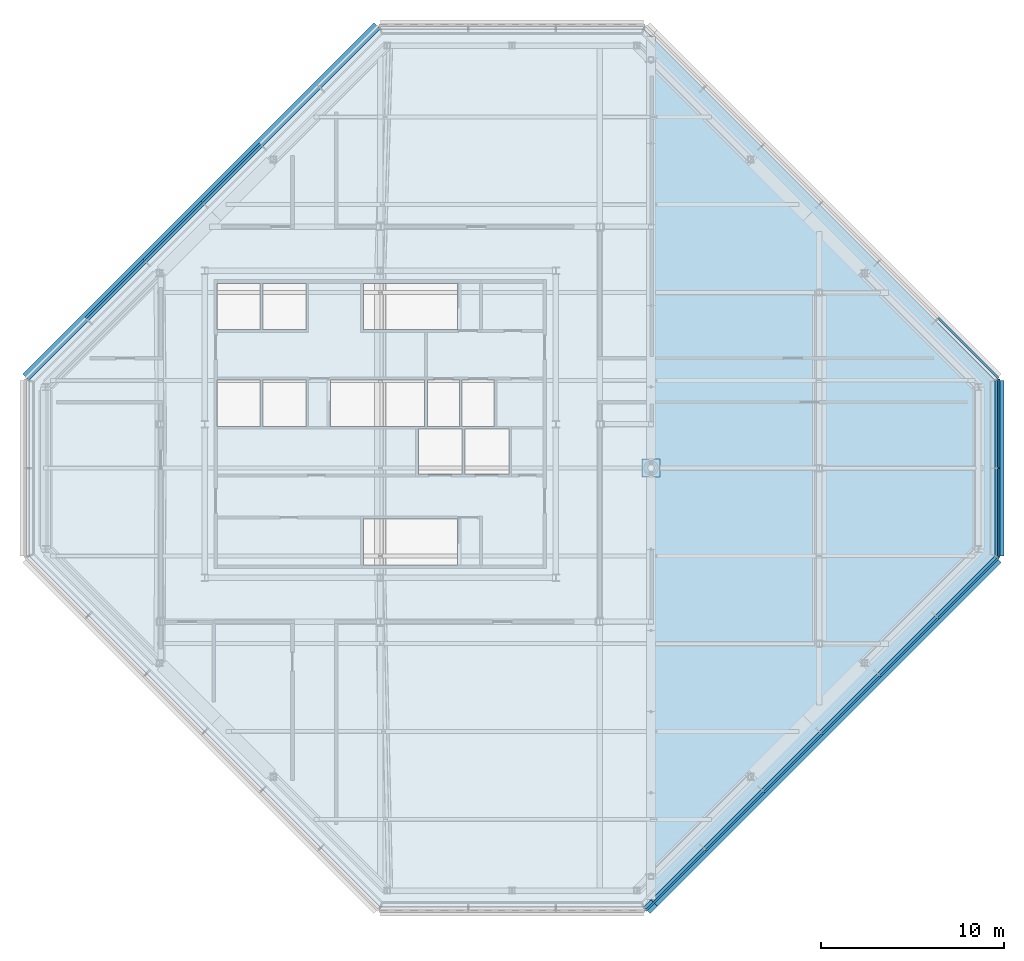
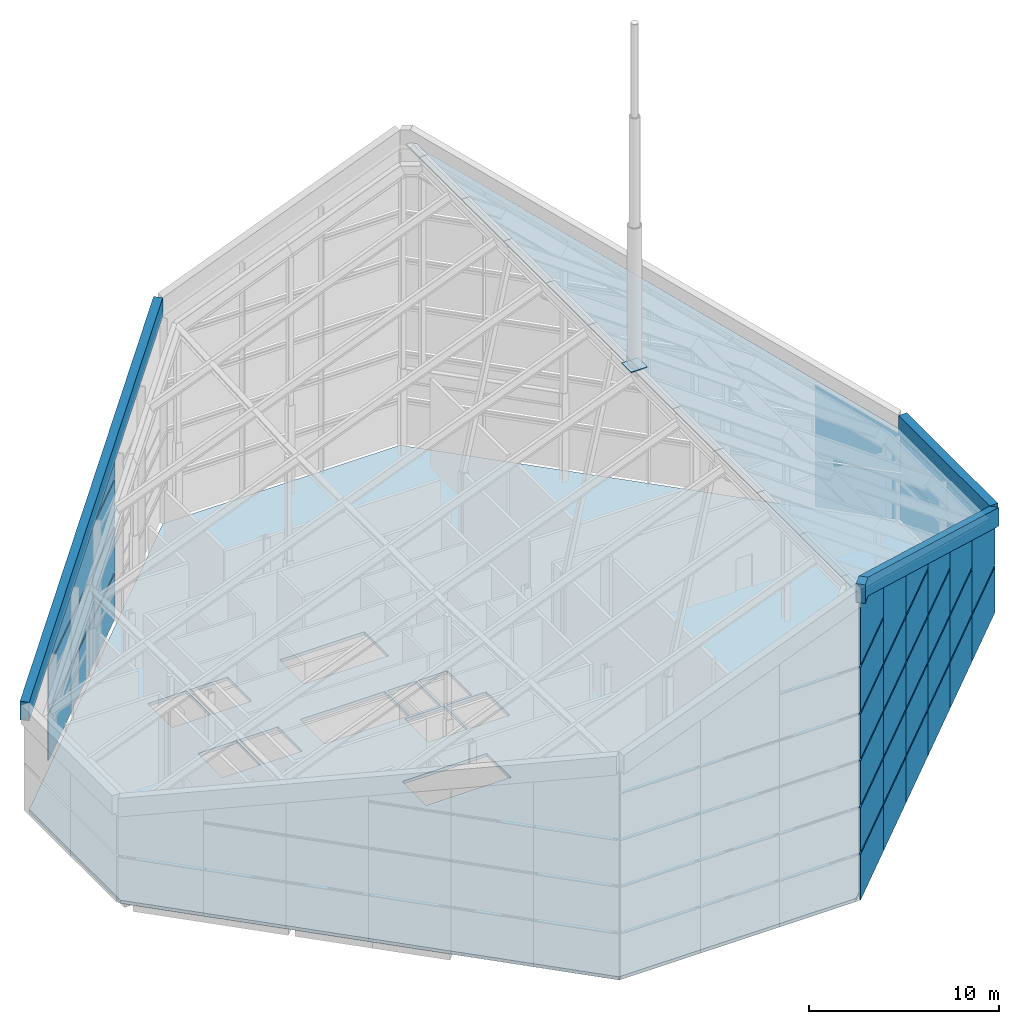
# One storey, part 14 of 21: 45 plates, 2 slabs, 4 elements without a shape of their own.
"""IFC4 building model written with IfcOpenShell, lengths in metres."""

from ifc_helpers import new_model, si_unit, direction, frame, origin, origin_2d, place, context, subcontext, project, spatial, polyline, rectangle, outline, extrude, material, layer, layer_set, type_object, element, aggregate, save


model = new_model("IFC4")

# Units and contexts
model_context = context("Model", 3, precision=1e-05, world=origin(), true_north=direction((0.0, 1.0)))
body_context = subcontext(model_context, "Body", "Model", "MODEL_VIEW")
ifc_project = project(units=[si_unit("LENGTHUNIT", "METRE"), si_unit("AREAUNIT", "SQUARE_METRE"), si_unit("VOLUMEUNIT", "CUBIC_METRE"), si_unit("PLANEANGLEUNIT", "RADIAN"), si_unit("MASSUNIT", "GRAM", prefix="KILO")], contexts=[model_context])

# Site, building, storey
site_placement = place(None, origin())
site = spatial("IfcSite", under=ifc_project, at=site_placement, CompositionType="ELEMENT")
building_placement = place(site_placement, origin())
building = spatial("IfcBuilding", under=site, at=building_placement, Name="Cairn Pilgrim Tower", CompositionType="ELEMENT")
storey_placement = place(building_placement, frame((0.0, 0.0, 295.800048828125)))
storey = spatial("IfcBuildingStorey", under=building, at=storey_placement, Name="L76", CompositionType="ELEMENT", Elevation=295.800048828125)

# Slab
ifc_material_1 = material(Name="Concrete C35/45", Category="concrete")
ifc_layer_1 = layer(ifc_material_1, 0.199951171875)
ifc_layer_set_1 = layer_set([ifc_layer_1], Name="COMPOSITE FLOOR SLAB 200")
slab_type_1 = type_object("IfcSlabType", Name="COMPOSITE FLOOR SLAB 200", PredefinedType="FLOOR", material=ifc_layer_set_1)
slab_1_placement = place(storey_placement, frame((0.0, 0.0, -0.199951171875)))
element("IfcSlab", 1, at=slab_1_placement, inside=storey, type_object=slab_type_1, Name="FLOOR SLAB L76", PredefinedType="FLOOR", context=body_context, shape_type="SweptSolid", body=[
    extrude(outline(polyline([(7.199951171875, -24.0), (21.60009765625, -24.0), (40.800048828125, -4.800048828125), (40.800048828125, 4.800048828125), (21.60009765625, 24.0), (7.199951171875, 24.0), (-12.0, 4.800048828125), (-12.0, -4.800048828125), (7.199951171875, -24.0)]), holes=[polyline([(9.27490234375, -0.324951171875), (11.675048828125, -0.324951171875), (11.675048828125, 2.125), (9.27490234375, 2.125), (9.27490234375, -0.324951171875)]), polyline([(11.824951171875, -0.324951171875), (14.22509765625, -0.324951171875), (14.22509765625, 2.125), (11.824951171875, 2.125), (11.824951171875, -0.324951171875)]), polyline([(-1.72509765625, 2.27490234375), (0.625, 2.27490234375), (0.625, 4.824951171875), (-1.72509765625, 4.824951171875), (-1.72509765625, 2.27490234375)]), polyline([(0.77490234375, 2.27490234375), (3.125, 2.27490234375), (3.125, 4.824951171875), (0.77490234375, 4.824951171875), (0.77490234375, 2.27490234375)]), polyline([(-1.72509765625, 7.574951171875), (0.625, 7.574951171875), (0.625, 10.10009765625), (-1.72509765625, 10.10009765625), (-1.72509765625, 7.574951171875)]), polyline([(0.77490234375, 7.574951171875), (3.125, 7.574951171875), (3.125, 10.10009765625), (0.77490234375, 10.10009765625), (0.77490234375, 7.574951171875)]), polyline([(9.77490234375, 2.27490234375), (11.52490234375, 2.27490234375), (11.52490234375, 4.824951171875), (9.77490234375, 4.824951171875), (9.77490234375, 2.27490234375)]), polyline([(11.675048828125, 2.27490234375), (13.425048828125, 2.27490234375), (13.425048828125, 4.824951171875), (11.675048828125, 4.824951171875), (11.675048828125, 2.27490234375)]), polyline([(11.424560546875, -2.77490234375), (6.27490234375, -2.77490234375), (6.27490234375, -5.300048828125), (11.424560546875, -5.300048828125), (11.424560546875, -2.77490234375)]), polyline([(4.4755859375, 2.27490234375), (9.625, 2.27490234375), (9.625, 4.824951171875), (4.4755859375, 4.824951171875), (4.4755859375, 2.27490234375)]), polyline([(11.424560546875, 10.10009765625), (6.27490234375, 10.10009765625), (6.27490234375, 7.574951171875), (11.424560546875, 7.574951171875), (11.424560546875, 10.10009765625)])]), origin(), (0.0, 0.0, 1.0), 0.199951171875),
])

# Plates
ifc_material_2 = material(Name="Bronze anodised aluminium", Category="aluminium")
ifc_layer_2 = layer(ifc_material_2, 0.5)
ifc_layer_set_2 = layer_set([ifc_layer_2], Name="EAVES FASCIA 500x1200 BRONZE")
plate_type_1 = type_object("IfcPlateType", Name="EAVES FASCIA 500x1200 BRONZE", PredefinedType="SHEET", material=ifc_layer_set_2)
plate_1_placement = place(storey_placement, frame((21.77685546875, -24.1767578125, 5.630615234375), z_axis=(0.0, 0.0, 1.0), x_axis=(0.707106781187, 0.707106781187, 0.0)))
element("IfcPlate", 2, at=plate_1_placement, inside=storey, type_object=plate_type_1, Name="Eaves fascia EF-2", PredefinedType="SHEET", context=body_context, shape_type="SweptSolid", body=[
    extrude(outline(polyline([(0.0, 13.3876953125), (0.565673828125, 13.5), (27.15283203125, 0.0), (27.15283203125, 1.199951171875), (0.565673828125, 14.699951171875), (0.0, 14.587646484375), (0.0, 13.3876953125)])), frame((0.0, 0.25, 0.0), z_axis=(0.0, -1.0, 0.0), x_axis=(1.0, 0.0, 0.0)), (0.0, 0.0, 1.0), 0.5),
])
plate_2_placement = place(storey_placement, frame((41.050048828125, -4.800048828125, 5.630615234375), z_axis=(0.0, 0.0, 1.0), x_axis=(0.0, 1.0, 0.0)))
element("IfcPlate", 3, at=plate_2_placement, inside=storey, type_object=plate_type_1, Name="Eaves fascia EF-3", PredefinedType="SHEET", context=body_context, shape_type="SweptSolid", body=[
    extrude(outline(polyline([(0.0, 0.0), (9.60009765625, 0.0), (9.60009765625, 1.199951171875), (0.0, 1.199951171875), (0.0, 0.0)])), frame((0.0, 0.25, 0.0), z_axis=(0.0, -1.0, 0.0), x_axis=(1.0, 0.0, 0.0)), (0.0, 0.0, 1.0), 0.5),
])
plate_3_placement = place(storey_placement, frame((7.023193359375, 24.1767578125, 5.67724609375), z_axis=(0.0, 0.0, 1.0), x_axis=(-0.707106781187, -0.707106781187, 0.0)))
element("IfcPlate", 4, at=plate_3_placement, inside=storey, type_object=plate_type_1, Name="Eaves fascia EF-6", PredefinedType="SHEET", context=body_context, shape_type="SweptSolid", body=[
    extrude(outline(polyline([(0.0, 7.623291015625), (27.15283203125, 0.0), (27.15283203125, 1.199951171875), (0.0, 8.823486328125), (0.0, 7.623291015625)])), frame((0.0, 0.25, 0.0), z_axis=(0.0, -1.0, 0.0), x_axis=(1.0, 0.0, 0.0)), (0.0, 0.0, 1.0), 0.5),
])

# Curtain wall, plates
ifc_material_3 = material(Name="Aluminium alloy 6063-T6 bronze anodised with Bronze tinted laminated low-E glass 8+16+8.8", Category="aluminium")
curtain_wall_type = type_object("IfcCurtainWallType", Name="CROWN LOUVRE CURTAIN WALL", PredefinedType="NOTDEFINED", material=ifc_material_3)
curtain_wall_1_placement = place(storey_placement, origin())
curtain_wall_1 = element("IfcCurtainWall", 5, at=curtain_wall_1_placement, inside=storey, type_object=curtain_wall_type, Name="Crown Louvre Curtain Wall SE", PredefinedType="NOTDEFINED")
ifc_material_4 = material(Name="Bronze anodised aluminium louvre blades", Category="aluminium")
ifc_layer_3 = layer(ifc_material_4, 0.10009765625)
ifc_layer_set_3 = layer_set([ifc_layer_3], Name="LOUVRE PANEL 4491 RAKING")
plate_type_2 = type_object("IfcPlateType", Name="LOUVRE PANEL 4491 RAKING", PredefinedType="CURTAIN_PANEL", material=ifc_layer_set_3)
plate_4_placement = place(storey_placement, frame((25.00439453125, -20.90673828125, 12.074951171875), z_axis=(0.0, 0.0, 1.0), x_axis=(0.707106781187, 0.707106781187, 0.0)))
plate_4 = element("IfcPlate", 6, at=plate_4_placement, type_object=plate_type_2, Name="Louvre panel SE2-5", PredefinedType="CURTAIN_PANEL", context=body_context, shape_type="SweptSolid", body=[
    extrude(outline(polyline([(0.0, 0.0), (4.490966796875, 0.0), (4.490966796875, 2.592529296875), (3.849365234375, 2.918212890625), (3.207763671875, 3.244140625), (2.56640625, 3.56982421875), (1.9248046875, 3.8955078125), (1.283203125, 4.221435546875), (0.6416015625, 4.547119140625), (0.0, 4.872802734375), (0.0, 0.0)])), frame((0.0, 0.050048828125, 0.0), z_axis=(0.0, -1.0, 0.0), x_axis=(1.0, 0.0, 0.0)), (0.0, 0.0, 1.0), 0.10009765625),
])
plate_5_placement = place(storey_placement, frame((28.179931640625, -17.731201171875, 12.074951171875), z_axis=(0.0, 0.0, 1.0), x_axis=(0.707106781187, 0.707106781187, 0.0)))
plate_5 = element("IfcPlate", 7, at=plate_5_placement, type_object=plate_type_2, Name="Louvre panel SE3-5", PredefinedType="CURTAIN_PANEL", context=body_context, shape_type="SweptSolid", body=[
    extrude(outline(polyline([(0.0, 0.0), (4.490966796875, 0.0), (4.490966796875, 0.312255859375), (3.849365234375, 0.637939453125), (3.207763671875, 0.963623046875), (2.56640625, 1.28955078125), (1.9248046875, 1.615234375), (1.283203125, 1.94091796875), (0.6416015625, 2.266845703125), (0.0, 2.592529296875), (0.0, 0.0)])), frame((0.0, 0.050048828125, 0.0), z_axis=(0.0, -1.0, 0.0), x_axis=(1.0, 0.0, 0.0)), (0.0, 0.0, 1.0), 0.10009765625),
])
plate_6_placement = place(storey_placement, frame((31.35546875, -14.5556640625, 9.074951171875), z_axis=(0.0, 0.0, 1.0), x_axis=(0.707106781187, 0.707106781187, 0.0)))
plate_6 = element("IfcPlate", 8, at=plate_6_placement, type_object=plate_type_2, Name="Louvre panel SE4-4", PredefinedType="CURTAIN_PANEL", context=body_context, shape_type="SweptSolid", body=[
    extrude(outline(polyline([(0.0, 0.0), (4.4912109375, 0.0), (4.490966796875, 1.03173828125), (3.849365234375, 1.357666015625), (3.207763671875, 1.683349609375), (2.56640625, 2.009033203125), (1.9248046875, 2.3349609375), (1.283203125, 2.66064453125), (0.6416015625, 2.986328125), (0.0, 3.312255859375), (0.0, 0.0)])), frame((0.0, 0.050048828125, 0.0), z_axis=(0.0, -1.0, 0.0), x_axis=(1.0, 0.0, 0.0)), (0.0, 0.0, 1.0), 0.10009765625),
])
plate_7_placement = place(storey_placement, frame((34.53125, -11.3798828125, 6.074951171875), z_axis=(0.0, 0.0, 1.0), x_axis=(0.707106781187, 0.707106781187, 0.0)))
plate_7 = element("IfcPlate", 9, at=plate_7_placement, type_object=plate_type_2, Name="Louvre panel SE5-3", PredefinedType="CURTAIN_PANEL", context=body_context, shape_type="SweptSolid", body=[
    extrude(outline(polyline([(0.0, 0.0), (4.490966796875, 0.0), (4.490966796875, 1.75146484375), (3.849365234375, 2.0771484375), (3.207763671875, 2.403076171875), (2.56640625, 2.728759765625), (1.9248046875, 3.054443359375), (1.283203125, 3.38037109375), (0.6416015625, 3.7060546875), (0.0, 4.03173828125), (0.0, 0.0)])), frame((0.0, 0.050048828125, 0.0), z_axis=(0.0, -1.0, 0.0), x_axis=(1.0, 0.0, 0.0)), (0.0, 0.0, 1.0), 0.10009765625),
])

curtain_wall_2_placement = place(storey_placement, origin())
curtain_wall_2 = element("IfcCurtainWall", 10, at=curtain_wall_2_placement, inside=storey, type_object=curtain_wall_type, Name="Crown Louvre Curtain Wall NW", PredefinedType="NOTDEFINED")
plate_8_placement = place(storey_placement, frame((0.6201171875, 17.731201171875, 9.074951171875), z_axis=(0.0, 0.0, 1.0), x_axis=(-0.707133961398, -0.707079599931, 0.0)))
plate_8 = element("IfcPlate", 11, at=plate_8_placement, type_object=plate_type_2, Name="Louvre panel NW3-4", PredefinedType="CURTAIN_PANEL", context=body_context, shape_type="SweptSolid", body=[
    extrude(outline(polyline([(0.0, 0.0), (4.490966796875, 0.0), (4.490966796875, 0.338134765625), (3.849365234375, 0.518310546875), (3.207763671875, 0.698486328125), (2.56640625, 0.878662109375), (1.9248046875, 1.05859375), (1.283203125, 1.23876953125), (0.6416015625, 1.4189453125), (0.0, 1.59912109375), (0.0, 0.0)])), frame((0.0, 0.050048828125, 0.0), z_axis=(0.0, -1.0, 0.0), x_axis=(1.0, 0.0, 0.0)), (0.0, 0.0, 1.0), 0.10009765625),
])
plate_9_placement = place(storey_placement, frame((-2.5556640625, 14.5556640625, 6.074951171875), z_axis=(0.0, 0.0, 1.0), x_axis=(-0.707079599931, -0.707133961398, 0.0)))
plate_9 = element("IfcPlate", 12, at=plate_9_placement, type_object=plate_type_2, Name="Louvre panel NW4-3", PredefinedType="CURTAIN_PANEL", context=body_context, shape_type="SweptSolid", body=[
    extrude(outline(polyline([(0.0, 0.0), (4.490966796875, 0.0), (4.490966796875, 2.0771484375), (3.849365234375, 2.25732421875), (3.207763671875, 2.4375), (2.56640625, 2.61767578125), (1.9248046875, 2.7978515625), (1.283203125, 2.97802734375), (0.6416015625, 3.157958984375), (0.0, 3.338134765625), (0.0, 0.0)])), frame((0.0, 0.050048828125, 0.0), z_axis=(0.0, -1.0, 0.0), x_axis=(1.0, 0.0, 0.0)), (0.0, 0.0, 1.0), 0.10009765625),
])
plate_10_placement = place(storey_placement, frame((-5.731201171875, 11.3798828125, 6.074951171875), z_axis=(0.0, 0.0, 1.0), x_axis=(-0.707106781187, -0.707106781187, 0.0)))
plate_10 = element("IfcPlate", 13, at=plate_10_placement, type_object=plate_type_2, Name="Louvre panel NW5-3", PredefinedType="CURTAIN_PANEL", context=body_context, shape_type="SweptSolid", body=[
    extrude(outline(polyline([(0.0, 0.0), (4.490966796875, 0.0), (4.490966796875, 0.81640625), (3.849365234375, 0.99658203125), (3.207763671875, 1.1767578125), (2.56640625, 1.356689453125), (1.9248046875, 1.536865234375), (1.283203125, 1.717041015625), (0.6416015625, 1.897216796875), (0.0, 2.077392578125), (0.0, 0.0)])), frame((0.0, 0.050048828125, 0.0), z_axis=(0.0, -1.0, 0.0), x_axis=(1.0, 0.0, 0.0)), (0.0, 0.0, 1.0), 0.10009765625),
])

# Plate
ifc_layer_4 = layer(ifc_material_4, 0.10009765625)
ifc_layer_set_4 = layer_set([ifc_layer_4], Name="LOUVRE PANEL 4491x2850")
plate_type_3 = type_object("IfcPlateType", Name="LOUVRE PANEL 4491x2850", PredefinedType="CURTAIN_PANEL", material=ifc_layer_set_4)
plate_11_placement = place(storey_placement, frame((26.59228515625, -19.31884765625, 3.074951171875), z_axis=(0.0, 0.0, 1.0), x_axis=(0.707106781187, 0.707106781187, 0.0)))
plate_11 = element("IfcPlate", 14, at=plate_11_placement, type_object=plate_type_3, Name="Louvre Panel SE2-2", PredefinedType="CURTAIN_PANEL", context=body_context, shape_type="SweptSolid", body=[
    extrude(rectangle(XDim=4.490966796875, YDim=0.10009765625, at=origin_2d()), origin(), (0.0, 0.0, 1.0), 2.85009765625),
])

plate_12_placement = place(storey_placement, frame((26.59228515625, -19.31884765625, 6.074951171875), z_axis=(0.0, 0.0, 1.0), x_axis=(0.707106781187, 0.707106781187, 0.0)))
plate_12 = element("IfcPlate", 15, at=plate_12_placement, type_object=plate_type_3, Name="Louvre Panel SE2-3", PredefinedType="CURTAIN_PANEL", context=body_context, shape_type="SweptSolid", body=[
    extrude(rectangle(XDim=4.490966796875, YDim=0.10009765625, at=origin_2d()), origin(), (0.0, 0.0, 1.0), 2.85009765625),
])

plate_13_placement = place(storey_placement, frame((26.59228515625, -19.31884765625, 9.074951171875), z_axis=(0.0, 0.0, 1.0), x_axis=(0.707106781187, 0.707106781187, 0.0)))
plate_13 = element("IfcPlate", 16, at=plate_13_placement, type_object=plate_type_3, Name="Louvre Panel SE2-4", PredefinedType="CURTAIN_PANEL", context=body_context, shape_type="SweptSolid", body=[
    extrude(rectangle(XDim=4.490966796875, YDim=0.10009765625, at=origin_2d()), origin(), (0.0, 0.0, 1.0), 2.85009765625),
])

plate_14_placement = place(storey_placement, frame((29.767822265625, -16.143310546875, 3.074951171875), z_axis=(0.0, 0.0, 1.0), x_axis=(0.707106781187, 0.707106781187, 0.0)))
plate_14 = element("IfcPlate", 17, at=plate_14_placement, type_object=plate_type_3, Name="Louvre Panel SE3-2", PredefinedType="CURTAIN_PANEL", context=body_context, shape_type="SweptSolid", body=[
    extrude(rectangle(XDim=4.490966796875, YDim=0.10009765625, at=origin_2d()), origin(), (0.0, 0.0, 1.0), 2.85009765625),
])

plate_15_placement = place(storey_placement, frame((29.767822265625, -16.143310546875, 6.074951171875), z_axis=(0.0, 0.0, 1.0), x_axis=(0.707106781187, 0.707106781187, 0.0)))
plate_15 = element("IfcPlate", 18, at=plate_15_placement, type_object=plate_type_3, Name="Louvre Panel SE3-3", PredefinedType="CURTAIN_PANEL", context=body_context, shape_type="SweptSolid", body=[
    extrude(rectangle(XDim=4.490966796875, YDim=0.10009765625, at=origin_2d()), origin(), (0.0, 0.0, 1.0), 2.85009765625),
])

plate_16_placement = place(storey_placement, frame((29.767822265625, -16.143310546875, 9.074951171875), z_axis=(0.0, 0.0, 1.0), x_axis=(0.707106781187, 0.707106781187, 0.0)))
plate_16 = element("IfcPlate", 19, at=plate_16_placement, type_object=plate_type_3, Name="Louvre Panel SE3-4", PredefinedType="CURTAIN_PANEL", context=body_context, shape_type="SweptSolid", body=[
    extrude(rectangle(XDim=4.490966796875, YDim=0.10009765625, at=origin_2d()), origin(), (0.0, 0.0, 1.0), 2.85009765625),
])

plate_17_placement = place(storey_placement, frame((32.943359375, -12.9677734375, 3.074951171875), z_axis=(0.0, 0.0, 1.0), x_axis=(0.707106781187, 0.707106781187, 0.0)))
plate_17 = element("IfcPlate", 20, at=plate_17_placement, type_object=plate_type_3, Name="Louvre Panel SE4-2", PredefinedType="CURTAIN_PANEL", context=body_context, shape_type="SweptSolid", body=[
    extrude(rectangle(XDim=4.490966796875, YDim=0.10009765625, at=origin_2d()), origin(), (0.0, 0.0, 1.0), 2.85009765625),
])

plate_18_placement = place(storey_placement, frame((32.943359375, -12.9677734375, 6.074951171875), z_axis=(0.0, 0.0, 1.0), x_axis=(0.707106781187, 0.707106781187, 0.0)))
plate_18 = element("IfcPlate", 21, at=plate_18_placement, type_object=plate_type_3, Name="Louvre Panel SE4-3", PredefinedType="CURTAIN_PANEL", context=body_context, shape_type="SweptSolid", body=[
    extrude(rectangle(XDim=4.490966796875, YDim=0.10009765625, at=origin_2d()), origin(), (0.0, 0.0, 1.0), 2.85009765625),
])

plate_19_placement = place(storey_placement, frame((36.118896484375, -9.792236328125, 3.074951171875), z_axis=(0.0, 0.0, 1.0), x_axis=(0.707106781187, 0.707106781187, 0.0)))
plate_19 = element("IfcPlate", 22, at=plate_19_placement, type_object=plate_type_3, Name="Louvre Panel SE5-2", PredefinedType="CURTAIN_PANEL", context=body_context, shape_type="SweptSolid", body=[
    extrude(rectangle(XDim=4.490966796875, YDim=0.10009765625, at=origin_2d()), origin(), (0.0, 0.0, 1.0), 2.85009765625),
])

plate_20_placement = place(storey_placement, frame((-0.9677734375, 16.143310546875, 3.074951171875), z_axis=(0.0, 0.0, 1.0), x_axis=(-0.707106781187, -0.707106781187, 0.0)))
plate_20 = element("IfcPlate", 23, at=plate_20_placement, type_object=plate_type_3, Name="Louvre Panel NW3-2", PredefinedType="CURTAIN_PANEL", context=body_context, shape_type="SweptSolid", body=[
    extrude(rectangle(XDim=4.490966796875, YDim=0.10009765625, at=origin_2d()), origin(), (0.0, 0.0, 1.0), 2.85009765625),
])

plate_21_placement = place(storey_placement, frame((-0.9677734375, 16.143310546875, 6.074951171875), z_axis=(0.0, 0.0, 1.0), x_axis=(-0.707106781187, -0.707106781187, 0.0)))
plate_21 = element("IfcPlate", 24, at=plate_21_placement, type_object=plate_type_3, Name="Louvre Panel NW3-3", PredefinedType="CURTAIN_PANEL", context=body_context, shape_type="SweptSolid", body=[
    extrude(rectangle(XDim=4.490966796875, YDim=0.10009765625, at=origin_2d()), origin(), (0.0, 0.0, 1.0), 2.85009765625),
])

plate_22_placement = place(storey_placement, frame((-4.143310546875, 12.9677734375, 3.074951171875), z_axis=(0.0, 0.0, 1.0), x_axis=(-0.707106781187, -0.707106781187, 0.0)))
plate_22 = element("IfcPlate", 25, at=plate_22_placement, type_object=plate_type_3, Name="Louvre Panel NW4-2", PredefinedType="CURTAIN_PANEL", context=body_context, shape_type="SweptSolid", body=[
    extrude(rectangle(XDim=4.490966796875, YDim=0.10009765625, at=origin_2d()), origin(), (0.0, 0.0, 1.0), 2.85009765625),
])

plate_23_placement = place(storey_placement, frame((-7.31884765625, 9.792236328125, 3.074951171875), z_axis=(0.0, 0.0, 1.0), x_axis=(-0.707106781187, -0.707106781187, 0.0)))
plate_23 = element("IfcPlate", 26, at=plate_23_placement, type_object=plate_type_3, Name="Louvre Panel NW5-2", PredefinedType="CURTAIN_PANEL", context=body_context, shape_type="SweptSolid", body=[
    extrude(rectangle(XDim=4.490966796875, YDim=0.10009765625, at=origin_2d()), origin(), (0.0, 0.0, 1.0), 2.85009765625),
])

ifc_layer_5 = layer(ifc_material_4, 0.10009765625)
ifc_layer_set_5 = layer_set([ifc_layer_5], Name="LOUVRE PANEL 4491x2925")
plate_type_4 = type_object("IfcPlateType", Name="LOUVRE PANEL 4491x2925", PredefinedType="CURTAIN_PANEL", material=ifc_layer_set_5)
plate_24_placement = place(storey_placement, frame((26.59228515625, -19.31884765625, 0.0), z_axis=(0.0, 0.0, 1.0), x_axis=(0.707106781187, 0.707106781187, 0.0)))
plate_24 = element("IfcPlate", 27, at=plate_24_placement, type_object=plate_type_4, Name="Louvre Panel SE2-1", PredefinedType="CURTAIN_PANEL", context=body_context, shape_type="SweptSolid", body=[
    extrude(rectangle(XDim=4.490966796875, YDim=0.10009765625, at=origin_2d()), origin(), (0.0, 0.0, 1.0), 2.925048828125),
])

plate_25_placement = place(storey_placement, frame((29.767822265625, -16.143310546875, 0.0), z_axis=(0.0, 0.0, 1.0), x_axis=(0.707106781187, 0.707106781187, 0.0)))
plate_25 = element("IfcPlate", 28, at=plate_25_placement, type_object=plate_type_4, Name="Louvre Panel SE3-1", PredefinedType="CURTAIN_PANEL", context=body_context, shape_type="SweptSolid", body=[
    extrude(rectangle(XDim=4.490966796875, YDim=0.10009765625, at=origin_2d()), origin(), (0.0, 0.0, 1.0), 2.925048828125),
])

plate_26_placement = place(storey_placement, frame((32.943359375, -12.9677734375, 0.0), z_axis=(0.0, 0.0, 1.0), x_axis=(0.707106781187, 0.707106781187, 0.0)))
plate_26 = element("IfcPlate", 29, at=plate_26_placement, type_object=plate_type_4, Name="Louvre Panel SE4-1", PredefinedType="CURTAIN_PANEL", context=body_context, shape_type="SweptSolid", body=[
    extrude(rectangle(XDim=4.490966796875, YDim=0.10009765625, at=origin_2d()), origin(), (0.0, 0.0, 1.0), 2.925048828125),
])

plate_27_placement = place(storey_placement, frame((36.118896484375, -9.792236328125, 0.0), z_axis=(0.0, 0.0, 1.0), x_axis=(0.707106781187, 0.707106781187, 0.0)))
plate_27 = element("IfcPlate", 30, at=plate_27_placement, type_object=plate_type_4, Name="Louvre Panel SE5-1", PredefinedType="CURTAIN_PANEL", context=body_context, shape_type="SweptSolid", body=[
    extrude(rectangle(XDim=4.490966796875, YDim=0.10009765625, at=origin_2d()), origin(), (0.0, 0.0, 1.0), 2.925048828125),
])

plate_28_placement = place(storey_placement, frame((-0.9677734375, 16.143310546875, 0.0), z_axis=(0.0, 0.0, 1.0), x_axis=(-0.707106781187, -0.707106781187, 0.0)))
plate_28 = element("IfcPlate", 31, at=plate_28_placement, type_object=plate_type_4, Name="Louvre Panel NW3-1", PredefinedType="CURTAIN_PANEL", context=body_context, shape_type="SweptSolid", body=[
    extrude(rectangle(XDim=4.490966796875, YDim=0.10009765625, at=origin_2d()), origin(), (0.0, 0.0, 1.0), 2.925048828125),
])

plate_29_placement = place(storey_placement, frame((-4.143310546875, 12.9677734375, 0.0), z_axis=(0.0, 0.0, 1.0), x_axis=(-0.707106781187, -0.707106781187, 0.0)))
plate_29 = element("IfcPlate", 32, at=plate_29_placement, type_object=plate_type_4, Name="Louvre Panel NW4-1", PredefinedType="CURTAIN_PANEL", context=body_context, shape_type="SweptSolid", body=[
    extrude(rectangle(XDim=4.490966796875, YDim=0.10009765625, at=origin_2d()), origin(), (0.0, 0.0, 1.0), 2.925048828125),
])

plate_30_placement = place(storey_placement, frame((-7.31884765625, 9.792236328125, 0.0), z_axis=(0.0, 0.0, 1.0), x_axis=(-0.707106781187, -0.707106781187, 0.0)))
plate_30 = element("IfcPlate", 33, at=plate_30_placement, type_object=plate_type_4, Name="Louvre Panel NW5-1", PredefinedType="CURTAIN_PANEL", context=body_context, shape_type="SweptSolid", body=[
    extrude(rectangle(XDim=4.490966796875, YDim=0.10009765625, at=origin_2d()), origin(), (0.0, 0.0, 1.0), 2.925048828125),
])

aggregate(curtain_wall_2, [plate_28, plate_20, plate_21, plate_8, plate_29, plate_22, plate_9, plate_30, plate_23, plate_10])

ifc_layer_6 = layer(ifc_material_4, 0.10009765625)
ifc_layer_set_6 = layer_set([ifc_layer_6], Name="LOUVRE PANEL 4665 RAKING")
plate_type_5 = type_object("IfcPlateType", Name="LOUVRE PANEL 4665 RAKING", PredefinedType="CURTAIN_PANEL", material=ifc_layer_set_6)
plate_31_placement = place(storey_placement, frame((21.705810546875, -24.205322265625, 15.074951171875), z_axis=(0.0, 0.0, 1.0), x_axis=(0.707106781187, 0.707106781187, 0.0)))
plate_31 = element("IfcPlate", 34, at=plate_31_placement, type_object=plate_type_5, Name="Louvre panel SE1-6", PredefinedType="CURTAIN_PANEL", context=body_context, shape_type="SweptSolid", body=[
    extrude(outline(polyline([(0.0, 0.0), (4.664794921875, 0.0), (4.664794921875, 1.872802734375), (3.99853515625, 2.211181640625), (3.33203125, 2.549560546875), (2.665771484375, 2.887939453125), (1.999267578125, 3.226318359375), (1.332763671875, 3.564697265625), (0.66650390625, 3.903076171875), (0.0, 3.971435546875), (0.0, 0.0)])), frame((0.0, 0.050048828125, 0.0), z_axis=(0.0, -1.0, 0.0), x_axis=(1.0, 0.0, 0.0)), (0.0, 0.0, 1.0), 0.10009765625),
])

plate_32_placement = place(storey_placement, frame((37.706787109375, -8.204345703125, 3.074951171875), z_axis=(0.0, 0.0, 1.0), x_axis=(0.707106781187, 0.707106781187, 0.0)))
plate_32 = element("IfcPlate", 35, at=plate_32_placement, type_object=plate_type_5, Name="Louvre panel SE6-2", PredefinedType="CURTAIN_PANEL", context=body_context, shape_type="SweptSolid", body=[
    extrude(outline(polyline([(0.0, 0.0), (4.664794921875, 0.0), (4.664794921875, 2.3828125), (3.99853515625, 2.72119140625), (3.33203125, 3.0595703125), (2.665771484375, 3.39794921875), (1.999267578125, 3.736328125), (1.332763671875, 4.07470703125), (0.66650390625, 4.4130859375), (0.0, 4.75146484375), (0.0, 0.0)])), frame((0.0, 0.050048828125, 0.0), z_axis=(0.0, -1.0, 0.0), x_axis=(1.0, 0.0, 0.0)), (0.0, 0.0, 1.0), 0.10009765625),
])

# Curtain wall, plate
curtain_wall_3_placement = place(storey_placement, origin())
curtain_wall_3 = element("IfcCurtainWall", 36, at=curtain_wall_3_placement, inside=storey, type_object=curtain_wall_type, Name="Crown Louvre Curtain Wall NE", PredefinedType="NOTDEFINED")
plate_33_placement = place(storey_placement, frame((41.00537109375, 4.90576171875, 3.074951171875), z_axis=(0.0, 0.0, 1.0), x_axis=(-0.707106781187, 0.707106781187, 0.0)))
plate_33 = element("IfcPlate", 37, at=plate_33_placement, type_object=plate_type_5, Name="Louvre panel NE1-2", PredefinedType="CURTAIN_PANEL", context=body_context, shape_type="SweptSolid", body=[
    extrude(outline(polyline([(0.0, 0.0), (4.664794921875, 0.0), (4.664794921875, 4.75146484375), (3.99853515625, 4.4130859375), (3.33203125, 4.07470703125), (2.665771484375, 3.736328125), (1.999267578125, 3.39794921875), (1.332763671875, 3.0595703125), (0.66650390625, 2.72119140625), (0.0, 2.3828125), (0.0, 0.0)])), frame((0.0, 0.050048828125, 0.0), z_axis=(0.0, -1.0, 0.0), x_axis=(1.0, 0.0, 0.0)), (0.0, 0.0, 1.0), 0.10009765625),
])

# Plate
ifc_layer_7 = layer(ifc_material_4, 0.10009765625)
ifc_layer_set_7 = layer_set([ifc_layer_7], Name="LOUVRE PANEL 4665x2850")
plate_type_6 = type_object("IfcPlateType", Name="LOUVRE PANEL 4665x2850", PredefinedType="CURTAIN_PANEL", material=ifc_layer_set_7)
plate_34_placement = place(storey_placement, frame((23.35498046875, -22.55615234375, 3.074951171875), z_axis=(0.0, 0.0, 1.0), x_axis=(0.707106781187, 0.707106781187, 0.0)))
plate_34 = element("IfcPlate", 38, at=plate_34_placement, type_object=plate_type_6, Name="Louvre Panel SE1-2", PredefinedType="CURTAIN_PANEL", context=body_context, shape_type="SweptSolid", body=[
    extrude(rectangle(XDim=4.6650390625, YDim=0.10009765625, at=origin_2d()), origin(), (0.0, 0.0, 1.0), 2.85009765625),
])

plate_35_placement = place(storey_placement, frame((23.35498046875, -22.55615234375, 6.074951171875), z_axis=(0.0, 0.0, 1.0), x_axis=(0.707106781187, 0.707106781187, 0.0)))
plate_35 = element("IfcPlate", 39, at=plate_35_placement, type_object=plate_type_6, Name="Louvre Panel SE1-3", PredefinedType="CURTAIN_PANEL", context=body_context, shape_type="SweptSolid", body=[
    extrude(rectangle(XDim=4.6650390625, YDim=0.10009765625, at=origin_2d()), origin(), (0.0, 0.0, 1.0), 2.85009765625),
])

plate_36_placement = place(storey_placement, frame((23.35498046875, -22.55615234375, 9.074951171875), z_axis=(0.0, 0.0, 1.0), x_axis=(0.707106781187, 0.707106781187, 0.0)))
plate_36 = element("IfcPlate", 40, at=plate_36_placement, type_object=plate_type_6, Name="Louvre Panel SE1-4", PredefinedType="CURTAIN_PANEL", context=body_context, shape_type="SweptSolid", body=[
    extrude(rectangle(XDim=4.6650390625, YDim=0.10009765625, at=origin_2d()), origin(), (0.0, 0.0, 1.0), 2.85009765625),
])

plate_37_placement = place(storey_placement, frame((23.35498046875, -22.55615234375, 12.074951171875), z_axis=(0.0, 0.0, 1.0), x_axis=(0.707106781187, 0.707106781187, 0.0)))
plate_37 = element("IfcPlate", 41, at=plate_37_placement, type_object=plate_type_6, Name="Louvre Panel SE1-5", PredefinedType="CURTAIN_PANEL", context=body_context, shape_type="SweptSolid", body=[
    extrude(rectangle(XDim=4.6650390625, YDim=0.10009765625, at=origin_2d()), origin(), (0.0, 0.0, 1.0), 2.85009765625),
])

ifc_layer_8 = layer(ifc_material_4, 0.10009765625)
ifc_layer_set_8 = layer_set([ifc_layer_8], Name="LOUVRE PANEL 4665x2925")
plate_type_7 = type_object("IfcPlateType", Name="LOUVRE PANEL 4665x2925", PredefinedType="CURTAIN_PANEL", material=ifc_layer_set_8)
plate_38_placement = place(storey_placement, frame((23.35498046875, -22.55615234375, 0.0), z_axis=(0.0, 0.0, 1.0), x_axis=(0.707106781187, 0.707106781187, 0.0)))
plate_38 = element("IfcPlate", 42, at=plate_38_placement, type_object=plate_type_7, Name="Louvre Panel SE1-1", PredefinedType="CURTAIN_PANEL", context=body_context, shape_type="SweptSolid", body=[
    extrude(rectangle(XDim=4.6650390625, YDim=0.10009765625, at=origin_2d()), origin(), (0.0, 0.0, 1.0), 2.925048828125),
])

plate_39_placement = place(storey_placement, frame((39.35595703125, -6.55517578125, 0.0), z_axis=(0.0, 0.0, 1.0), x_axis=(0.707106781187, 0.707106781187, 0.0)))
plate_39 = element("IfcPlate", 43, at=plate_39_placement, type_object=plate_type_7, Name="Louvre Panel SE6-1", PredefinedType="CURTAIN_PANEL", context=body_context, shape_type="SweptSolid", body=[
    extrude(rectangle(XDim=4.6650390625, YDim=0.10009765625, at=origin_2d()), origin(), (0.0, 0.0, 1.0), 2.925048828125),
])

aggregate(curtain_wall_1, [plate_38, plate_34, plate_35, plate_36, plate_37, plate_31, plate_24, plate_11, plate_12, plate_13, plate_4, plate_25, plate_14, plate_15, plate_16, plate_5, plate_26, plate_17, plate_18, plate_6, plate_27, plate_19, plate_7, plate_39, plate_32])

plate_40_placement = place(storey_placement, frame((39.35595703125, 6.55517578125, 0.0), z_axis=(0.0, 0.0, 1.0), x_axis=(-0.707106781187, 0.707106781187, 0.0)))
plate_40 = element("IfcPlate", 44, at=plate_40_placement, type_object=plate_type_7, Name="Louvre Panel NE1-1", PredefinedType="CURTAIN_PANEL", context=body_context, shape_type="SweptSolid", body=[
    extrude(rectangle(XDim=4.6650390625, YDim=0.10009765625, at=origin_2d()), origin(), (0.0, 0.0, 1.0), 2.925048828125),
])

aggregate(curtain_wall_3, [plate_40, plate_33])

# Curtain wall, plates
curtain_wall_4_placement = place(storey_placement, origin())
curtain_wall_4 = element("IfcCurtainWall", 45, at=curtain_wall_4_placement, inside=storey, type_object=curtain_wall_type, Name="Crown Louvre Curtain Wall E", PredefinedType="NOTDEFINED")
ifc_layer_9 = layer(ifc_material_4, 0.10009765625)
ifc_layer_set_9 = layer_set([ifc_layer_9], Name="LOUVRE PANEL 4870 RAKING")
plate_type_8 = type_object("IfcPlateType", Name="LOUVRE PANEL 4870 RAKING", PredefinedType="CURTAIN_PANEL", material=ifc_layer_set_9)
plate_41_placement = place(storey_placement, frame((41.02001953125, -4.870361328125, 3.074951171875), z_axis=(0.0, 0.0, 1.0), x_axis=(0.0, 1.0, 0.0)))
plate_41 = element("IfcPlate", 46, at=plate_41_placement, type_object=plate_type_8, Name="Louvre panel E1-2", PredefinedType="CURTAIN_PANEL", context=body_context, shape_type="SweptSolid", body=[
    extrude(outline(polyline([(0.0, 0.0), (4.870361328125, 0.0), (4.870361328125, 2.36181640625), (4.26171875, 2.36181640625), (3.65283203125, 2.36181640625), (3.0439453125, 2.36181640625), (2.435302734375, 2.36181640625), (1.826416015625, 2.36181640625), (1.217529296875, 2.36181640625), (0.60888671875, 2.36181640625), (0.0, 2.36181640625), (0.0, 0.0)])), frame((0.0, 0.050048828125, 0.0), z_axis=(0.0, -1.0, 0.0), x_axis=(1.0, 0.0, 0.0)), (0.0, 0.0, 1.0), 0.10009765625),
])
plate_42_placement = place(storey_placement, frame((41.02001953125, 0.0, 3.074951171875), z_axis=(0.0, 0.0, 1.0), x_axis=(0.0, 1.0, 0.0)))
plate_42 = element("IfcPlate", 47, at=plate_42_placement, type_object=plate_type_8, Name="Louvre panel E2-2", PredefinedType="CURTAIN_PANEL", context=body_context, shape_type="SweptSolid", body=[
    extrude(outline(polyline([(0.0, 0.0), (4.870361328125, 0.0), (4.870361328125, 2.36181640625), (4.26171875, 2.36181640625), (3.65283203125, 2.36181640625), (3.0439453125, 2.36181640625), (2.435302734375, 2.36181640625), (1.826416015625, 2.36181640625), (1.217529296875, 2.36181640625), (0.60888671875, 2.36181640625), (0.0, 2.36181640625), (0.0, 0.0)])), frame((0.0, 0.050048828125, 0.0), z_axis=(0.0, -1.0, 0.0), x_axis=(1.0, 0.0, 0.0)), (0.0, 0.0, 1.0), 0.10009765625),
])
ifc_layer_10 = layer(ifc_material_4, 0.10009765625)
ifc_layer_set_10 = layer_set([ifc_layer_10], Name="LOUVRE PANEL 4870x2925")
plate_type_9 = type_object("IfcPlateType", Name="LOUVRE PANEL 4870x2925", PredefinedType="CURTAIN_PANEL", material=ifc_layer_set_10)
plate_43_placement = place(storey_placement, frame((41.02001953125, -2.435302734375, 0.0), z_axis=(0.0, 0.0, 1.0), x_axis=(0.0, 1.0, 0.0)))
plate_43 = element("IfcPlate", 48, at=plate_43_placement, type_object=plate_type_9, Name="Louvre Panel E1-1", PredefinedType="CURTAIN_PANEL", context=body_context, shape_type="SweptSolid", body=[
    extrude(rectangle(XDim=4.870361328125, YDim=0.10009765625, at=origin_2d()), origin(), (0.0, 0.0, 1.0), 2.925048828125),
])
plate_44_placement = place(storey_placement, frame((41.02001953125, 2.435302734375, 0.0), z_axis=(0.0, 0.0, 1.0), x_axis=(0.0, 1.0, 0.0)))
plate_44 = element("IfcPlate", 49, at=plate_44_placement, type_object=plate_type_9, Name="Louvre Panel E2-1", PredefinedType="CURTAIN_PANEL", context=body_context, shape_type="SweptSolid", body=[
    extrude(rectangle(XDim=4.870361328125, YDim=0.10009765625, at=origin_2d()), origin(), (0.0, 0.0, 1.0), 2.925048828125),
])
aggregate(curtain_wall_4, [plate_43, plate_41, plate_44, plate_42])

# Slab
ifc_material_5 = material(Name="Bronze aluminium standing seam roofing on insulated deck", Category="aluminium")
ifc_layer_11 = layer(ifc_material_5, 0.300048828125)
ifc_layer_set_11 = layer_set([ifc_layer_11], Name="ROOF PLANE 300")
slab_type_2 = type_object("IfcSlabType", Name="ROOF PLANE 300", PredefinedType="ROOF", material=ifc_layer_set_11)
slab_2_placement = place(storey_placement, frame((22.14990234375, 23.60009765625, 19.392333984375), z_axis=(0.583278204762, 0.0, 0.812272451736), x_axis=(0.0, -1.0, 0.0)))
element("IfcSlab", 50, at=slab_2_placement, inside=storey, type_object=slab_type_2, Name="Roof Plane East", PredefinedType="ROOF", context=body_context, shape_type="SweptSolid", body=[
    extrude(outline(polyline([(0.0, 0.0), (47.2001953125, 0.0), (28.400146484375, 22.960456734082854), (18.800048828125, 22.960456734082854), (0.0, 0.0)])), origin(), (0.0, 0.0, -1.0), 0.300048828125),
])

# Plate
ifc_material_6 = material(Name="Structural steel S355J2", Category="steel")
ifc_layer_12 = layer(ifc_material_6, 0.050048828125)
ifc_layer_set_12 = layer_set([ifc_layer_12], Name="SPIRE BASE PLATE 1000x50 STEEL S355J2")
plate_type_10 = type_object("IfcPlateType", Name="SPIRE BASE PLATE 1000x50 STEEL S355J2", PredefinedType="SHEET", material=ifc_layer_set_12)
plate_45_placement = place(storey_placement, frame((22.0, 0.0, 19.5205078125), z_axis=(0.0, 0.0, 1.0), x_axis=(1.0, 0.0, 0.0)))
element("IfcPlate", 51, at=plate_45_placement, inside=storey, type_object=plate_type_10, Name="Spire base plate", PredefinedType="SHEET", context=body_context, shape_type="SweptSolid", body=[
    extrude(rectangle(XDim=1.0, YDim=1.0, at=origin_2d()), origin(), (0.0, 0.0, 1.0), 0.050048828125),
])

save(model, "model.ifc")
